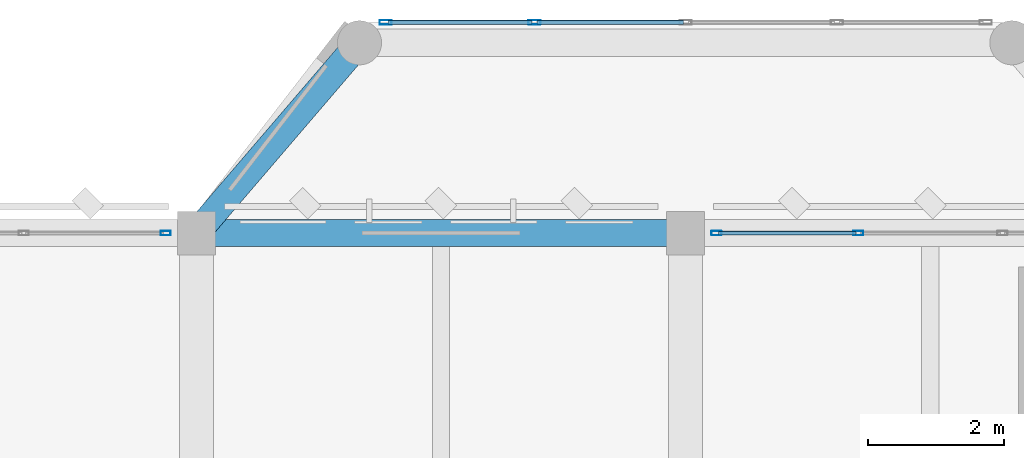
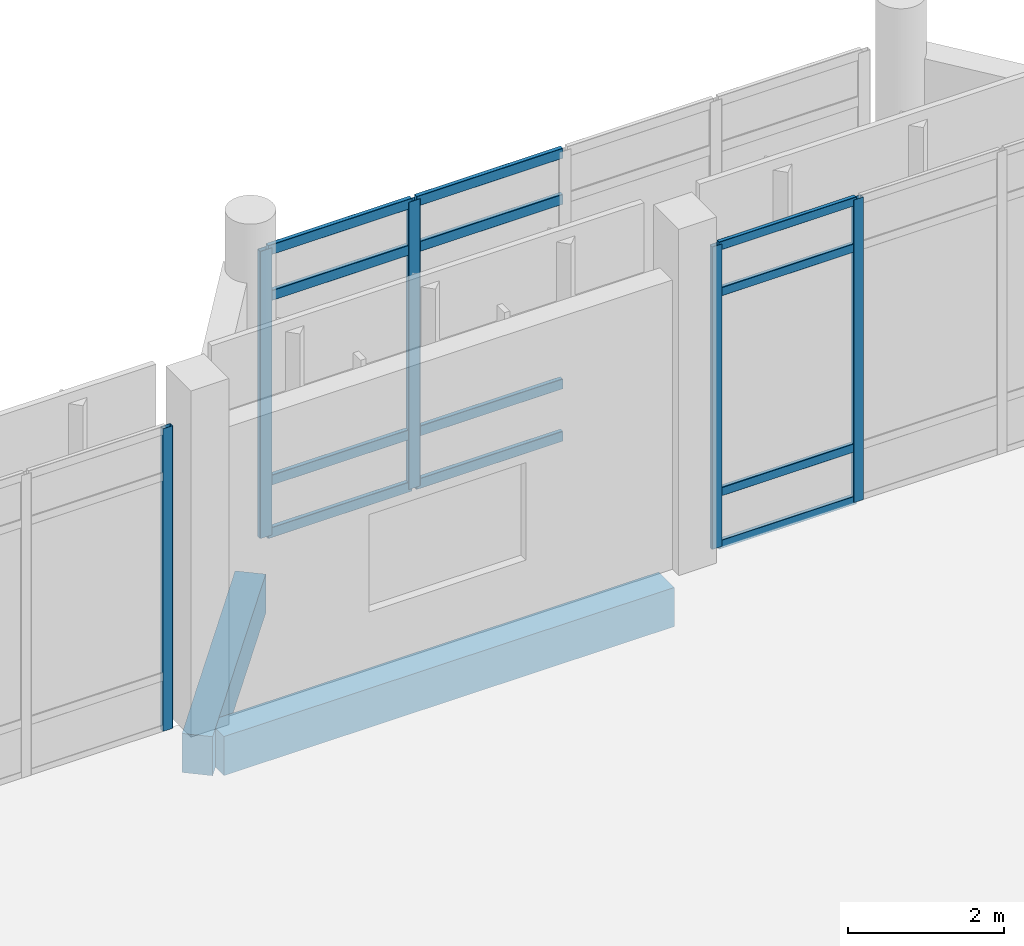
# One storey, part 131 of 180: 17 members, 2 beams, 3 elements without a shape of their own.
"""IFC4 building model written with IfcOpenShell, lengths in metres."""

from ifc_helpers import new_model, si_unit, direction, frame, origin, origin_2d, place, context, subcontext, project, spatial, rectangle, hollow_rectangle, extrude, material, material_profile, profile_set, type_object, element, aggregate, save


model = new_model("IFC4")

# Units and contexts
model_context = context("Model", 3, precision=1e-05, world=origin(), true_north=direction((0.0, 1.0)))
body_context = subcontext(model_context, "Body", "Model", "MODEL_VIEW")
ifc_project = project(units=[si_unit("LENGTHUNIT", "METRE"), si_unit("AREAUNIT", "SQUARE_METRE"), si_unit("VOLUMEUNIT", "CUBIC_METRE"), si_unit("PLANEANGLEUNIT", "RADIAN"), si_unit("MASSUNIT", "GRAM", prefix="KILO")], contexts=[model_context])

# Site, building, storey
site_placement = place(None, origin())
site = spatial("IfcSite", under=ifc_project, at=site_placement, CompositionType="ELEMENT")
building_placement = place(site_placement, origin())
building = spatial("IfcBuilding", under=site, at=building_placement, Name="Lusvemor Sports Hall", CompositionType="ELEMENT")
storey_placement = place(building_placement, frame((0.0, 0.0, 5.39990234375)))
storey = spatial("IfcBuildingStorey", under=building, at=storey_placement, Name="L01", CompositionType="ELEMENT", Elevation=5.39990234375)

# Curtain wall, members
ifc_material_1 = material(Name="Thermally broken bronze-anodized aluminium", Category="aluminium")
curtain_wall_type_1 = type_object("IfcCurtainWallType", Name="CW_FOYER_A", PredefinedType="NOTDEFINED", material=ifc_material_1)
curtain_wall_1_placement = place(storey_placement, origin())
curtain_wall_1 = element("IfcCurtainWall", 1, at=curtain_wall_1_placement, inside=storey, type_object=curtain_wall_type_1, Name="Curtain Wall CW-BOW-N3-L01-M", PredefinedType="NOTDEFINED")
ifc_material_2 = material(Name="Thermally broken bronze-anodized aluminium", Category="aluminium")
ifc_material_profile_1 = material_profile(ifc_material_2, hollow_rectangle(XDim=0.070068359375, YDim=0.179931640625, WallThickness=0.0048828125, InnerFilletRadius=0.0048828125, OuterFilletRadius=0.010009765625, at=origin_2d()), Name="CWMUL180x70x5")
ifc_profile_set_1 = profile_set([ifc_material_profile_1], Name="Thermally broken bronze-anodized aluminium")
member_type_1 = type_object("IfcMemberType", Name="CW_MUL_A", PredefinedType="MULLION", material=ifc_profile_set_1)
member_1_placement = place(storey_placement, frame((128.784912109375, 118.300048828125, 0.0), z_axis=(0.0, 0.0, 1.0), x_axis=(0.0, 1.0, 0.0)))
member_1 = element("IfcMember", 2, at=member_1_placement, type_object=member_type_1, Name="CW01 mullion 1", PredefinedType="MULLION", context=body_context, shape_type="SweptSolid", body=[
    extrude(hollow_rectangle(XDim=0.070068359375, YDim=0.179931640625, WallThickness=0.0048828125, InnerFilletRadius=0.0048828125, OuterFilletRadius=0.010009765625, at=origin_2d()), origin(), (0.0, 0.0, 1.0), 4.47998046875),
])
member_2_placement = place(storey_placement, frame((130.97509765625, 118.300048828125, 0.0), z_axis=(0.0, 0.0, 1.0), x_axis=(0.0, 1.0, 0.0)))
member_2 = element("IfcMember", 3, at=member_2_placement, type_object=member_type_1, Name="CW01 mullion 2", PredefinedType="MULLION", context=body_context, shape_type="SweptSolid", body=[
    extrude(hollow_rectangle(XDim=0.070068359375, YDim=0.179931640625, WallThickness=0.0048828125, InnerFilletRadius=0.0048828125, OuterFilletRadius=0.010009765625, at=origin_2d()), origin(), (0.0, 0.0, 1.0), 4.47998046875),
])

# Curtain wall, member
ifc_material_3 = material(Name="Thermally broken bronze-anodized aluminium", Category="aluminium")
curtain_wall_type_2 = type_object("IfcCurtainWallType", Name="CW_WING_B", PredefinedType="NOTDEFINED", material=ifc_material_3)
curtain_wall_2_placement = place(storey_placement, origin())
curtain_wall_2 = element("IfcCurtainWall", 4, at=curtain_wall_2_placement, inside=storey, type_object=curtain_wall_type_2, Name="Curtain Wall CW-L01-N-1-12", PredefinedType="NOTDEFINED")
ifc_material_4 = material(Name="Thermally broken bronze-anodized aluminium", Category="aluminium")
ifc_material_profile_2 = material_profile(ifc_material_4, hollow_rectangle(XDim=0.06494140625, YDim=0.14990234375, WallThickness=0.00390625, InnerFilletRadius=0.00390625, OuterFilletRadius=0.008056640625, at=origin_2d()), Name="CWMUL150x65x4")
ifc_profile_set_2 = profile_set([ifc_material_profile_2], Name="Thermally broken bronze-anodized aluminium")
member_type_2 = type_object("IfcMemberType", Name="CW_MUL_B", PredefinedType="MULLION", material=ifc_profile_set_2)
member_3_placement = place(storey_placement, frame((125.547607421875, 115.199951171875, 0.0), z_axis=(0.0, 0.0, 1.0), x_axis=(0.0, 1.0, 0.0)))
member_3 = element("IfcMember", 5, at=member_3_placement, type_object=member_type_2, Name="CW02 mullion 4", PredefinedType="MULLION", context=body_context, shape_type="SweptSolid", body=[
    extrude(hollow_rectangle(XDim=0.06494140625, YDim=0.14990234375, WallThickness=0.00390625, InnerFilletRadius=0.00390625, OuterFilletRadius=0.008056640625, at=origin_2d()), origin(), (0.0, 0.0, 1.0), 4.72021484375),
])
aggregate(curtain_wall_2, [member_3])

# Curtain wall, members
curtain_wall_3_placement = place(storey_placement, origin())
curtain_wall_3 = element("IfcCurtainWall", 6, at=curtain_wall_3_placement, inside=storey, type_object=curtain_wall_type_2, Name="Curtain Wall CW-L01-N-1-14", PredefinedType="NOTDEFINED")
member_4_placement = place(storey_placement, frame((133.652587890625, 115.199951171875, 0.0), z_axis=(0.0, 0.0, 1.0), x_axis=(0.0, 1.0, 0.0)))
member_4 = element("IfcMember", 7, at=member_4_placement, type_object=member_type_2, Name="CW02 mullion 1", PredefinedType="MULLION", context=body_context, shape_type="SweptSolid", body=[
    extrude(hollow_rectangle(XDim=0.06494140625, YDim=0.14990234375, WallThickness=0.00390625, InnerFilletRadius=0.00390625, OuterFilletRadius=0.008056640625, at=origin_2d()), origin(), (0.0, 0.0, 1.0), 4.72021484375),
])
member_5_placement = place(storey_placement, frame((135.739990234375, 115.199951171875, 0.0), z_axis=(0.0, 0.0, 1.0), x_axis=(0.0, 1.0, 0.0)))
member_5 = element("IfcMember", 8, at=member_5_placement, type_object=member_type_2, Name="CW02 mullion 2", PredefinedType="MULLION", context=body_context, shape_type="SweptSolid", body=[
    extrude(hollow_rectangle(XDim=0.06494140625, YDim=0.14990234375, WallThickness=0.00390625, InnerFilletRadius=0.00390625, OuterFilletRadius=0.008056640625, at=origin_2d()), origin(), (0.0, 0.0, 1.0), 4.72021484375),
])

# Member
ifc_material_5 = material(Name="Thermally broken bronze-anodized aluminium", Category="aluminium")
ifc_material_profile_3 = material_profile(ifc_material_5, hollow_rectangle(XDim=0.06494140625, YDim=0.159912109375, WallThickness=0.00390625, InnerFilletRadius=0.00390625, OuterFilletRadius=0.008056640625, at=origin_2d()), Name="CWTRN160x65x4")
ifc_profile_set_3 = profile_set([ifc_material_profile_3], Name="Thermally broken bronze-anodized aluminium")
member_type_3 = type_object("IfcMemberType", Name="CW_TRN_A", PredefinedType="USERDEFINED", material=ifc_profile_set_3)
member_6_placement = place(storey_placement, frame((128.820068359375, 118.300048828125, 0.03271484375), z_axis=(1.0, 0.0, 0.0), x_axis=(0.0, 1.0, 0.0)))
member_6 = element("IfcMember", 9, at=member_6_placement, type_object=member_type_3, Name="CW01 transom 1.1", ObjectType="TRANSOM", PredefinedType="USERDEFINED", context=body_context, shape_type="SweptSolid", body=[
    extrude(hollow_rectangle(XDim=0.06494140625, YDim=0.159912109375, WallThickness=0.00390625, InnerFilletRadius=0.00390625, OuterFilletRadius=0.008056640625, at=origin_2d()), origin(), (0.0, 0.0, 1.0), 2.119873046875),
])

member_7_placement = place(storey_placement, frame((128.820068359375, 118.300048828125, 0.85009765625), z_axis=(1.0, 0.0, 0.0), x_axis=(0.0, 1.0, 0.0)))
member_7 = element("IfcMember", 10, at=member_7_placement, type_object=member_type_3, Name="CW01 transom 1.2", ObjectType="TRANSOM", PredefinedType="USERDEFINED", context=body_context, shape_type="SweptSolid", body=[
    extrude(hollow_rectangle(XDim=0.06494140625, YDim=0.159912109375, WallThickness=0.00390625, InnerFilletRadius=0.00390625, OuterFilletRadius=0.008056640625, at=origin_2d()), origin(), (0.0, 0.0, 1.0), 2.119873046875),
])

member_8_placement = place(storey_placement, frame((128.820068359375, 118.300048828125, 3.72998046875), z_axis=(1.0, 0.0, 0.0), x_axis=(0.0, 1.0, 0.0)))
member_8 = element("IfcMember", 11, at=member_8_placement, type_object=member_type_3, Name="CW01 transom 1.3", ObjectType="TRANSOM", PredefinedType="USERDEFINED", context=body_context, shape_type="SweptSolid", body=[
    extrude(hollow_rectangle(XDim=0.06494140625, YDim=0.159912109375, WallThickness=0.00390625, InnerFilletRadius=0.00390625, OuterFilletRadius=0.008056640625, at=origin_2d()), origin(), (0.0, 0.0, 1.0), 2.119873046875),
])

member_9_placement = place(storey_placement, frame((128.820068359375, 118.300048828125, 4.447509765625), z_axis=(1.0, 0.0, 0.0), x_axis=(0.0, 1.0, 0.0)))
member_9 = element("IfcMember", 12, at=member_9_placement, type_object=member_type_3, Name="CW01 transom 1.4", ObjectType="TRANSOM", PredefinedType="USERDEFINED", context=body_context, shape_type="SweptSolid", body=[
    extrude(hollow_rectangle(XDim=0.06494140625, YDim=0.159912109375, WallThickness=0.00390625, InnerFilletRadius=0.00390625, OuterFilletRadius=0.008056640625, at=origin_2d()), origin(), (0.0, 0.0, 1.0), 2.119873046875),
])

member_10_placement = place(storey_placement, frame((131.010009765625, 118.300048828125, 0.03271484375), z_axis=(1.0, 0.0, 0.0), x_axis=(0.0, 1.0, 0.0)))
member_10 = element("IfcMember", 13, at=member_10_placement, type_object=member_type_3, Name="CW01 transom 2.1", ObjectType="TRANSOM", PredefinedType="USERDEFINED", context=body_context, shape_type="SweptSolid", body=[
    extrude(hollow_rectangle(XDim=0.06494140625, YDim=0.159912109375, WallThickness=0.00390625, InnerFilletRadius=0.00390625, OuterFilletRadius=0.008056640625, at=origin_2d()), origin(), (0.0, 0.0, 1.0), 2.155029296875),
])

member_11_placement = place(storey_placement, frame((131.010009765625, 118.300048828125, 0.85009765625), z_axis=(1.0, 0.0, 0.0), x_axis=(0.0, 1.0, 0.0)))
member_11 = element("IfcMember", 14, at=member_11_placement, type_object=member_type_3, Name="CW01 transom 2.2", ObjectType="TRANSOM", PredefinedType="USERDEFINED", context=body_context, shape_type="SweptSolid", body=[
    extrude(hollow_rectangle(XDim=0.06494140625, YDim=0.159912109375, WallThickness=0.00390625, InnerFilletRadius=0.00390625, OuterFilletRadius=0.008056640625, at=origin_2d()), origin(), (0.0, 0.0, 1.0), 2.155029296875),
])

member_12_placement = place(storey_placement, frame((131.010009765625, 118.300048828125, 3.72998046875), z_axis=(1.0, 0.0, 0.0), x_axis=(0.0, 1.0, 0.0)))
member_12 = element("IfcMember", 15, at=member_12_placement, type_object=member_type_3, Name="CW01 transom 2.3", ObjectType="TRANSOM", PredefinedType="USERDEFINED", context=body_context, shape_type="SweptSolid", body=[
    extrude(hollow_rectangle(XDim=0.06494140625, YDim=0.159912109375, WallThickness=0.00390625, InnerFilletRadius=0.00390625, OuterFilletRadius=0.008056640625, at=origin_2d()), origin(), (0.0, 0.0, 1.0), 2.155029296875),
])

member_13_placement = place(storey_placement, frame((131.010009765625, 118.300048828125, 4.447509765625), z_axis=(1.0, 0.0, 0.0), x_axis=(0.0, 1.0, 0.0)))
member_13 = element("IfcMember", 16, at=member_13_placement, type_object=member_type_3, Name="CW01 transom 2.4", ObjectType="TRANSOM", PredefinedType="USERDEFINED", context=body_context, shape_type="SweptSolid", body=[
    extrude(hollow_rectangle(XDim=0.06494140625, YDim=0.159912109375, WallThickness=0.00390625, InnerFilletRadius=0.00390625, OuterFilletRadius=0.008056640625, at=origin_2d()), origin(), (0.0, 0.0, 1.0), 2.155029296875),
])

aggregate(curtain_wall_1, [member_1, member_2, member_6, member_7, member_8, member_9, member_10, member_11, member_12, member_13])

ifc_material_6 = material(Name="Thermally broken bronze-anodized aluminium", Category="aluminium")
ifc_material_profile_4 = material_profile(ifc_material_6, hollow_rectangle(XDim=0.06005859375, YDim=0.135009765625, WallThickness=0.00390625, InnerFilletRadius=0.00390625, OuterFilletRadius=0.008056640625, at=origin_2d()), Name="CWTRN135x60x4")
ifc_profile_set_4 = profile_set([ifc_material_profile_4], Name="Thermally broken bronze-anodized aluminium")
member_type_4 = type_object("IfcMemberType", Name="CW_TRN_B", PredefinedType="USERDEFINED", material=ifc_profile_set_4)
member_14_placement = place(storey_placement, frame((133.68505859375, 115.199951171875, 0.030029296875), z_axis=(1.0, 0.0, 0.0), x_axis=(0.0, 1.0, 0.0)))
member_14 = element("IfcMember", 17, at=member_14_placement, type_object=member_type_4, Name="CW02 transom 1.1", ObjectType="TRANSOM", PredefinedType="USERDEFINED", context=body_context, shape_type="SweptSolid", body=[
    extrude(hollow_rectangle(XDim=0.06005859375, YDim=0.135009765625, WallThickness=0.00390625, InnerFilletRadius=0.00390625, OuterFilletRadius=0.008056640625, at=origin_2d()), origin(), (0.0, 0.0, 1.0), 2.0224609375),
])

member_15_placement = place(storey_placement, frame((133.68505859375, 115.199951171875, 0.85009765625), z_axis=(1.0, 0.0, 0.0), x_axis=(0.0, 1.0, 0.0)))
member_15 = element("IfcMember", 18, at=member_15_placement, type_object=member_type_4, Name="CW02 transom 1.2", ObjectType="TRANSOM", PredefinedType="USERDEFINED", context=body_context, shape_type="SweptSolid", body=[
    extrude(hollow_rectangle(XDim=0.06005859375, YDim=0.135009765625, WallThickness=0.00390625, InnerFilletRadius=0.00390625, OuterFilletRadius=0.008056640625, at=origin_2d()), origin(), (0.0, 0.0, 1.0), 2.0224609375),
])

member_16_placement = place(storey_placement, frame((133.68505859375, 115.199951171875, 3.97021484375), z_axis=(1.0, 0.0, 0.0), x_axis=(0.0, 1.0, 0.0)))
member_16 = element("IfcMember", 19, at=member_16_placement, type_object=member_type_4, Name="CW02 transom 1.3", ObjectType="TRANSOM", PredefinedType="USERDEFINED", context=body_context, shape_type="SweptSolid", body=[
    extrude(hollow_rectangle(XDim=0.06005859375, YDim=0.135009765625, WallThickness=0.00390625, InnerFilletRadius=0.00390625, OuterFilletRadius=0.008056640625, at=origin_2d()), origin(), (0.0, 0.0, 1.0), 2.0224609375),
])

member_17_placement = place(storey_placement, frame((133.68505859375, 115.199951171875, 4.690185546875), z_axis=(1.0, 0.0, 0.0), x_axis=(0.0, 1.0, 0.0)))
member_17 = element("IfcMember", 20, at=member_17_placement, type_object=member_type_4, Name="CW02 transom 1.4", ObjectType="TRANSOM", PredefinedType="USERDEFINED", context=body_context, shape_type="SweptSolid", body=[
    extrude(hollow_rectangle(XDim=0.06005859375, YDim=0.135009765625, WallThickness=0.00390625, InnerFilletRadius=0.00390625, OuterFilletRadius=0.008056640625, at=origin_2d()), origin(), (0.0, 0.0, 1.0), 2.0224609375),
])

aggregate(curtain_wall_3, [member_4, member_5, member_14, member_15, member_16, member_17])

# Beams
ifc_material_7 = material(Name="Concrete C40/50", Category="concrete")
ifc_material_profile_5 = material_profile(ifc_material_7, rectangle(XDim=0.39990234375, YDim=0.610107421875, at=origin_2d()), Name="RC400x610")
ifc_profile_set_5 = profile_set([ifc_material_profile_5], Name="Concrete C40/50")
beam_type = type_object("IfcBeamType", Name="SPAND_EXT_650", PredefinedType="SPANDREL", material=ifc_profile_set_5)
beam_1_placement = place(storey_placement, frame((126.27587890625, 115.199951171875, -0.56494140625), z_axis=(1.0, 0.0, 0.0), x_axis=(0.0, 1.0, 0.0)))
element("IfcBeam", 21, at=beam_1_placement, inside=storey, type_object=beam_type, Name="Beam L01 Q:14-15", PredefinedType="SPANDREL", context=body_context, shape_type="SweptSolid", body=[
    extrude(rectangle(XDim=0.39990234375, YDim=0.610107421875, at=origin_2d()), origin(), (0.0, 0.0, 1.0), 6.648193359375),
])
beam_2_placement = place(storey_placement, frame((126.0, 115.199951171875, -0.56494140625), z_axis=(0.650769565339, 0.759275294494, 0.0), x_axis=(-0.759275294494, 0.650769565339, 0.0)))
element("IfcBeam", 22, at=beam_2_placement, inside=storey, type_object=beam_type, Name="Bow Pavilion Edge Beam BOW-N3 L01-1", PredefinedType="SPANDREL", context=body_context, shape_type="SweptSolid", body=[
    extrude(rectangle(XDim=0.39990234375, YDim=0.610107421875, at=origin_2d()), origin(), (0.0, 0.0, 1.0), 3.687744140625),
])

save(model, "model.ifc")
